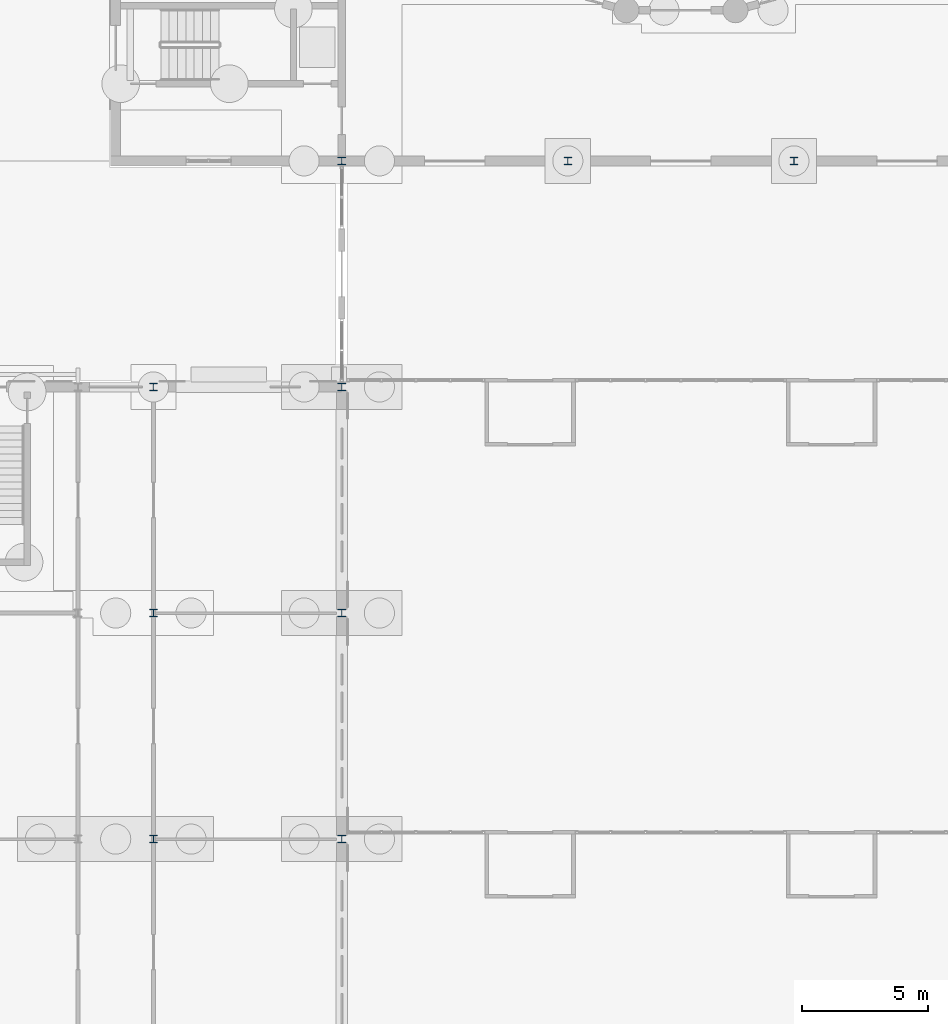
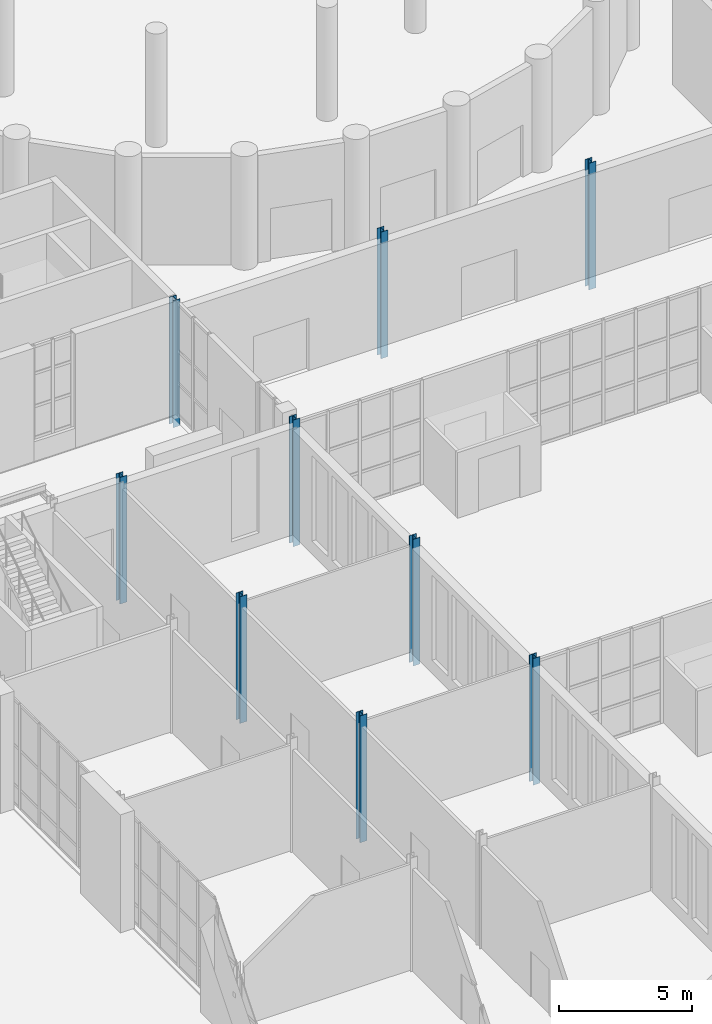
# One storey, part 22 of 168: 9 columns.
"""IFC4 building model written with IfcOpenShell, lengths in metres."""

from ifc_helpers import new_model, si_unit, direction, frame, origin, origin_2d, place, context, subcontext, project, spatial, i_section, extrude, material, material_profile, profile_set, type_object, element, save


model = new_model("IFC4")

# Units and contexts
model_context = context("Model", 3, precision=1e-05, world=origin(), true_north=direction((0.0, 1.0)))
body_context = subcontext(model_context, "Body", "Model", "MODEL_VIEW")
ifc_project = project(units=[si_unit("LENGTHUNIT", "METRE"), si_unit("AREAUNIT", "SQUARE_METRE"), si_unit("VOLUMEUNIT", "CUBIC_METRE"), si_unit("PLANEANGLEUNIT", "RADIAN"), si_unit("MASSUNIT", "GRAM", prefix="KILO")], contexts=[model_context])

# Site, building, storey
site_placement = place(None, origin())
site = spatial("IfcSite", under=ifc_project, at=site_placement, CompositionType="ELEMENT")
building_placement = place(site_placement, origin())
building = spatial("IfcBuilding", under=site, at=building_placement, Name="Golden Quay Civic Hall", CompositionType="ELEMENT")
storey_placement = place(building_placement, origin())
storey = spatial("IfcBuildingStorey", under=building, at=storey_placement, Name="L00", CompositionType="ELEMENT", Elevation=0.0)

# Columns
ifc_material_1 = material(Name="Steel S355", Category="steel")
ifc_material_profile_1 = material_profile(ifc_material_1, i_section(OverallWidth=0.300048828125, OverallDepth=0.2900390625, WebThickness=0.008544921875, FlangeThickness=0.013916015625, FilletRadius=0.027099609375, at=origin_2d()), Name="HEA 300")
ifc_profile_set_1 = profile_set([ifc_material_profile_1], Name="Steel S355")
column_type_1 = type_object("IfcColumnType", Name="Steel column HEA 300", PredefinedType="COLUMN", material=ifc_profile_set_1)
for number, where, z_axis, x_axis, name in (
    (1, (64.5, 54.0, -0.60009765625), (0.0, 0.0, 1.0), (1.0, 0.0, 0.0), "Column 64.5/54 L00"),
    (2, (72.0, 36.0, -0.60009765625), (0.0, 0.0, 1.0), (1.0, 0.0, 0.0), "Column 72/36 L00"),
    (3, (72.0, 45.0, -0.60009765625), (0.0, 0.0, 1.0), (1.0, 0.0, 0.0), "Column 72/45 L00"),
    (4, (72.0, 54.0, -0.60009765625), (0.0, 0.0, 1.0), (1.0, 0.0, 0.0), "Column 72/54 L00"),
):
    element("IfcColumn", number, at=place(storey_placement, frame(where, z_axis=z_axis, x_axis=x_axis)), inside=storey, type_object=column_type_1, Name=name, PredefinedType="COLUMN", context=body_context, shape_type="SweptSolid", body=[
        extrude(i_section(OverallWidth=0.300048828125, OverallDepth=0.2900390625, WebThickness=0.008544921875, FlangeThickness=0.013916015625, FilletRadius=0.027099609375, at=origin_2d()), origin(), (0.0, 0.0, 1.0), 5.800048828125),
    ])
ifc_material_2 = material(Name="Steel S355", Category="steel")
ifc_material_profile_2 = material_profile(ifc_material_2, i_section(OverallWidth=0.300048828125, OverallDepth=0.300048828125, WebThickness=0.010986328125, FlangeThickness=0.01904296875, FilletRadius=0.027099609375, at=origin_2d()), Name="HEB 300")
ifc_profile_set_2 = profile_set([ifc_material_profile_2], Name="Steel S355")
column_type_2 = type_object("IfcColumnType", Name="Steel column HEB 300", PredefinedType="COLUMN", material=ifc_profile_set_2)
for number, where, z_axis, x_axis, name in (
    (5, (64.5, 36.0, -0.60009765625), (0.0, 0.0, 1.0), (1.0, 0.0, 0.0), "Column 64.5/36 L00"),
    (6, (64.5, 45.0, -0.60009765625), (0.0, 0.0, 1.0), (1.0, 0.0, 0.0), "Column 64.5/45 L00"),
    (7, (81.0, 63.0, -0.60009765625), (0.0, 0.0, 1.0), (1.0, 0.0, 0.0), "Base column 1"),
    (8, (90.0, 63.0, -0.60009765625), (0.0, 0.0, 1.0), (1.0, 0.0, 0.0), "Base column 2"),
    (9, (72.0, 63.0, -0.60009765625), (0.0, 0.0, 1.0), (1.0, 0.0, 0.0), "Base column 9"),
):
    element("IfcColumn", number, at=place(storey_placement, frame(where, z_axis=z_axis, x_axis=x_axis)), inside=storey, type_object=column_type_2, Name=name, PredefinedType="COLUMN", context=body_context, shape_type="SweptSolid", body=[
        extrude(i_section(OverallWidth=0.300048828125, OverallDepth=0.300048828125, WebThickness=0.010986328125, FlangeThickness=0.01904296875, FilletRadius=0.027099609375, at=origin_2d()), origin(), (0.0, 0.0, 1.0), 5.800048828125),
    ])

save(model, "model.ifc")
